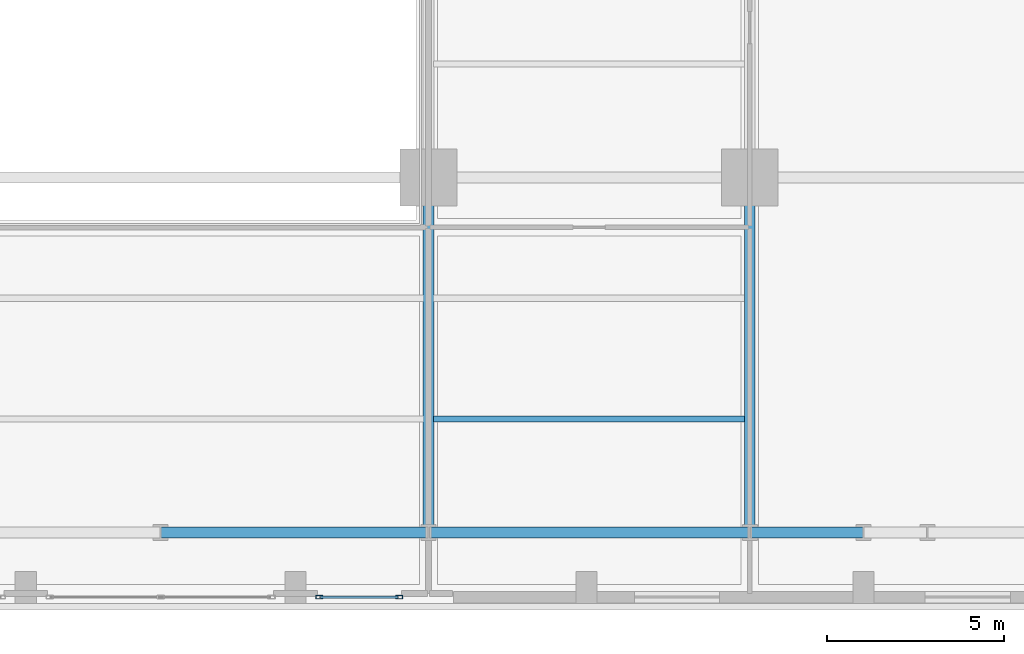
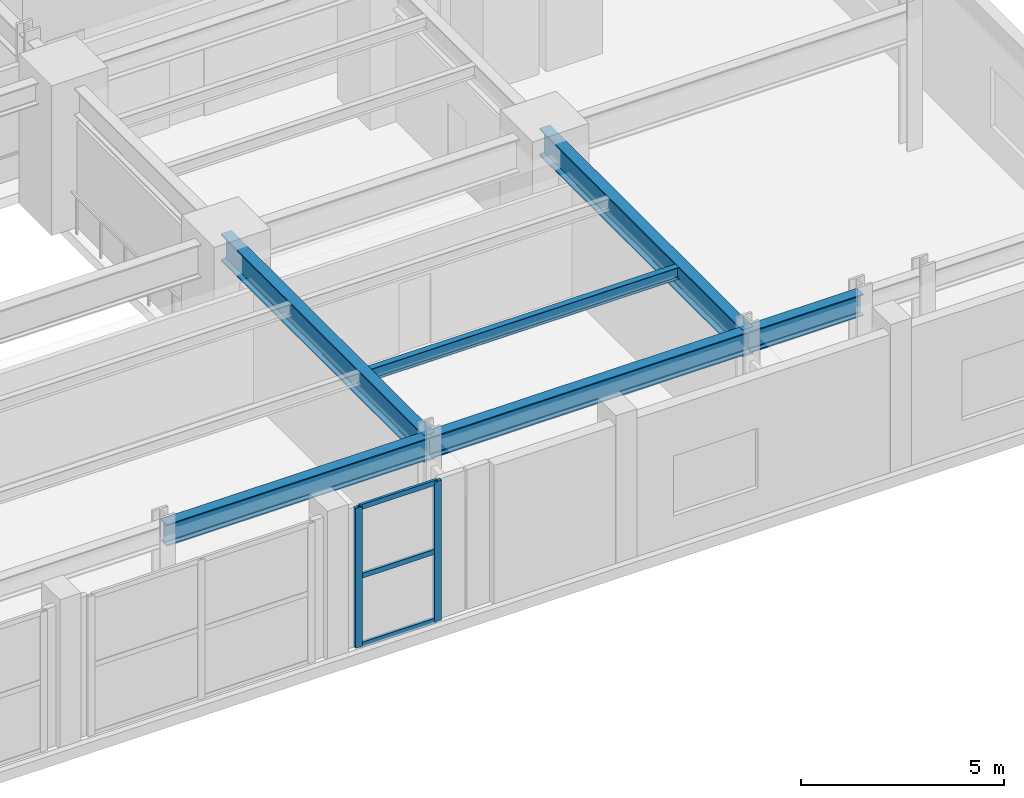
# One storey, part 4 of 14: 6 beams, 5 members, 1 element without a shape of its own.
"""IFC4 building model written with IfcOpenShell, lengths in metres."""

from ifc_helpers import new_model, si_unit, direction, frame, origin, origin_2d, place, context, subcontext, project, spatial, hollow_rectangle, i_section, extrude, material, layer, layer_set, material_profile, profile_set, type_object, element, aggregate, save


model = new_model("IFC4")

# Units and contexts
model_context = context("Model", 3, precision=1e-05, world=origin(), true_north=direction((0.0, 1.0)))
body_context = subcontext(model_context, "Body", "Model", "MODEL_VIEW")
ifc_project = project(units=[si_unit("LENGTHUNIT", "METRE"), si_unit("AREAUNIT", "SQUARE_METRE"), si_unit("VOLUMEUNIT", "CUBIC_METRE"), si_unit("PLANEANGLEUNIT", "RADIAN"), si_unit("MASSUNIT", "GRAM", prefix="KILO")], contexts=[model_context])

# Site, building, storey
site_placement = place(None, origin())
site = spatial("IfcSite", under=ifc_project, at=site_placement, CompositionType="ELEMENT")
building_placement = place(site_placement, origin())
building = spatial("IfcBuilding", under=site, at=building_placement, Name="Zarnavel Station Tower", CompositionType="ELEMENT")
storey_placement = place(building_placement, frame((0.0, 0.0, 14.89990234375)))
storey = spatial("IfcBuildingStorey", under=building, at=storey_placement, Name="L04", CompositionType="ELEMENT", Elevation=14.89990234375)

# Curtain wall, members
ifc_material_1 = material(Name="Aluminium Dark Anodised and Solar-Control Glass", Category="aluminium")
ifc_layer = layer(ifc_material_1, 0.179931640625)
ifc_layer_set = layer_set([ifc_layer], Name="CWS1")
curtain_wall_type = type_object("IfcCurtainWallType", Name="CWS1", PredefinedType="NOTDEFINED", material=ifc_layer_set)
curtain_wall_placement = place(storey_placement, origin())
curtain_wall = element("IfcCurtainWall", 1, at=curtain_wall_placement, inside=storey, type_object=curtain_wall_type, Name="L04 Curtain Wall CWS1-L04-S-S3", PredefinedType="NOTDEFINED")
ifc_material_2 = material(Name="Steel S355J2 (Black Fluoropolymer Coated)", Category="steel")
ifc_material_profile_1 = material_profile(ifc_material_2, hollow_rectangle(XDim=0.10009765625, YDim=0.199951171875, WallThickness=0.008056640625, at=origin_2d()), Name="RHS200x100x8")
ifc_profile_set_1 = profile_set([ifc_material_profile_1], Name="Steel S355J2 (Black Fluoropolymer Coated)")
member_type_1 = type_object("IfcMemberType", Name="CWS1_MUL", PredefinedType="MULLION", material=ifc_profile_set_1)
member_1_placement = place(storey_placement, frame((33.27392578125, 3.780029296875, 0.0), z_axis=(0.0, 0.0, 1.0), x_axis=(0.0, 1.0, 0.0)))
member_1 = element("IfcMember", 2, at=member_1_placement, type_object=member_type_1, Name="CW1 mullion 1", PredefinedType="MULLION", context=body_context, shape_type="SweptSolid", body=[
    extrude(hollow_rectangle(XDim=0.10009765625, YDim=0.199951171875, WallThickness=0.008056640625, at=origin_2d()), origin(), (0.0, 0.0, 1.0), 4.2001953125),
])
member_2_placement = place(storey_placement, frame((35.52001953125, 3.780029296875, 0.0), z_axis=(0.0, 0.0, 1.0), x_axis=(0.0, 1.0, 0.0)))
member_2 = element("IfcMember", 3, at=member_2_placement, type_object=member_type_1, Name="CW1 mullion 2", PredefinedType="MULLION", context=body_context, shape_type="SweptSolid", body=[
    extrude(hollow_rectangle(XDim=0.10009765625, YDim=0.199951171875, WallThickness=0.008056640625, at=origin_2d()), origin(), (0.0, 0.0, 1.0), 4.2001953125),
])
ifc_material_3 = material(Name="Steel S355J2 (Black Fluoropolymer Coated)", Category="steel")
ifc_material_profile_2 = material_profile(ifc_material_3, hollow_rectangle(XDim=0.074951171875, YDim=0.14990234375, WallThickness=0.00634765625, at=origin_2d()), Name="RHS150x75x6.3")
ifc_profile_set_2 = profile_set([ifc_material_profile_2], Name="Steel S355J2 (Black Fluoropolymer Coated)")
member_type_2 = type_object("IfcMemberType", Name="CWS1_TRN", PredefinedType="USERDEFINED", material=ifc_profile_set_2)
member_3_placement = place(storey_placement, frame((33.303955078125, 3.780029296875, 0.030029296875), z_axis=(1.0, 0.0, 0.0), x_axis=(0.0, 1.0, 0.0)))
member_3 = element("IfcMember", 4, at=member_3_placement, type_object=member_type_2, Name="CW1 transom 1.1", ObjectType="TRANSOM", PredefinedType="USERDEFINED", context=body_context, shape_type="SweptSolid", body=[
    extrude(hollow_rectangle(XDim=0.074951171875, YDim=0.14990234375, WallThickness=0.00634765625, at=origin_2d()), origin(), (0.0, 0.0, 1.0), 2.18603515625),
])
member_4_placement = place(storey_placement, frame((33.303955078125, 3.780029296875, 2.10009765625), z_axis=(1.0, 0.0, 0.0), x_axis=(0.0, 1.0, 0.0)))
member_4 = element("IfcMember", 5, at=member_4_placement, type_object=member_type_2, Name="CW1 transom 1.2", ObjectType="TRANSOM", PredefinedType="USERDEFINED", context=body_context, shape_type="SweptSolid", body=[
    extrude(hollow_rectangle(XDim=0.074951171875, YDim=0.14990234375, WallThickness=0.00634765625, at=origin_2d()), origin(), (0.0, 0.0, 1.0), 2.18603515625),
])
member_5_placement = place(storey_placement, frame((33.303955078125, 3.780029296875, 4.170166015625), z_axis=(1.0, 0.0, 0.0), x_axis=(0.0, 1.0, 0.0)))
member_5 = element("IfcMember", 6, at=member_5_placement, type_object=member_type_2, Name="CW1 transom 1.3", ObjectType="TRANSOM", PredefinedType="USERDEFINED", context=body_context, shape_type="SweptSolid", body=[
    extrude(hollow_rectangle(XDim=0.074951171875, YDim=0.14990234375, WallThickness=0.00634765625, at=origin_2d()), origin(), (0.0, 0.0, 1.0), 2.18603515625),
])
aggregate(curtain_wall, [member_1, member_2, member_3, member_4, member_5])

# Beams
ifc_material_4 = material(Name="Steel S355J2", Category="steel")
ifc_material_profile_3 = material_profile(ifc_material_4, i_section(OverallWidth=0.300048828125, OverallDepth=0.64990234375, WebThickness=0.01611328125, FlangeThickness=0.031005859375, FilletRadius=0.027099609375, at=origin_2d()), Name="HEB650")
ifc_profile_set_3 = profile_set([ifc_material_profile_3], Name="Steel S355J2")
beam_type_1 = type_object("IfcBeamType", Name="FG_HEB650", PredefinedType="USERDEFINED", material=ifc_profile_set_3)
beam_1_placement = place(storey_placement, frame((28.800048828125, 5.60009765625, 3.875), z_axis=(1.0, 0.0, 0.0), x_axis=(0.0, 1.0, 0.0)))
element("IfcBeam", 7, at=beam_1_placement, inside=storey, type_object=beam_type_1, Name="L04 EW Frame Girder 1-6", ObjectType="GIRDER", PredefinedType="USERDEFINED", context=body_context, shape_type="SweptSolid", body=[
    extrude(i_section(OverallWidth=0.300048828125, OverallDepth=0.64990234375, WebThickness=0.01611328125, FlangeThickness=0.031005859375, FilletRadius=0.027099609375, at=origin_2d()), origin(), (0.0, 0.0, 1.0), 7.550048828125),
])
beam_2_placement = place(storey_placement, frame((36.35009765625, 5.60009765625, 3.875), z_axis=(1.0, 0.0, 0.0), x_axis=(0.0, 1.0, 0.0)))
element("IfcBeam", 8, at=beam_2_placement, inside=storey, type_object=beam_type_1, Name="L04 EW Frame Girder 1-7", ObjectType="GIRDER", PredefinedType="USERDEFINED", context=body_context, shape_type="SweptSolid", body=[
    extrude(i_section(OverallWidth=0.300048828125, OverallDepth=0.64990234375, WebThickness=0.01611328125, FlangeThickness=0.031005859375, FilletRadius=0.027099609375, at=origin_2d()), origin(), (0.0, 0.0, 1.0), 9.0498046875),
])
beam_3_placement = place(storey_placement, frame((45.39990234375, 5.60009765625, 3.875), z_axis=(1.0, 0.0, 0.0), x_axis=(0.0, 1.0, 0.0)))
element("IfcBeam", 9, at=beam_3_placement, inside=storey, type_object=beam_type_1, Name="L04 EW Frame Girder 1-8", ObjectType="GIRDER", PredefinedType="USERDEFINED", context=body_context, shape_type="SweptSolid", body=[
    extrude(i_section(OverallWidth=0.300048828125, OverallDepth=0.64990234375, WebThickness=0.01611328125, FlangeThickness=0.031005859375, FilletRadius=0.027099609375, at=origin_2d()), origin(), (0.0, 0.0, 1.0), 3.2001953125),
])
ifc_material_5 = material(Name="Steel S460M", Category="steel")
ifc_material_profile_4 = material_profile(ifc_material_5, i_section(OverallWidth=0.302978515625, OverallDepth=0.81396484375, WebThickness=0.02099609375, FlangeThickness=0.0400390625, FilletRadius=0.030029296875, at=origin_2d()), Name="HEM800")
ifc_profile_set_4 = profile_set([ifc_material_profile_4], Name="Steel S460M")
beam_type_2 = type_object("IfcBeamType", Name="FG_HEM800", PredefinedType="USERDEFINED", material=ifc_profile_set_4)
for number, where, z_axis, x_axis, name in (
    (10, (36.35009765625, 5.60009765625, 3.793212890625), (0.0, 1.0, 0.0), (-1.0, 0.0, 0.0), "L04 NS Girder South 3"),
    (11, (45.39990234375, 5.60009765625, 3.793212890625), (0.0, 1.0, 0.0), (-1.0, 0.0, 0.0), "L04 NS Girder South 4"),
):
    element("IfcBeam", number, at=place(storey_placement, frame(where, z_axis=z_axis, x_axis=x_axis)), inside=storey, type_object=beam_type_2, Name=name, ObjectType="GIRDER", PredefinedType="USERDEFINED", context=body_context, shape_type="SweptSolid", body=[
        extrude(i_section(OverallWidth=0.302978515625, OverallDepth=0.81396484375, WebThickness=0.02099609375, FlangeThickness=0.0400390625, FilletRadius=0.030029296875, at=origin_2d()), origin(), (0.0, 0.0, 1.0), 10.0),
    ])
ifc_material_6 = material(Name="Steel S355J2", Category="steel")
ifc_material_profile_5 = material_profile(ifc_material_6, i_section(OverallWidth=0.169921875, OverallDepth=0.360107421875, WebThickness=0.008056640625, FlangeThickness=0.0126953125, FilletRadius=0.01806640625, at=origin_2d()), Name="IPE360")
ifc_profile_set_5 = profile_set([ifc_material_profile_5], Name="Steel S355J2")
beam_type_3 = type_object("IfcBeamType", Name="FJ_IPE360", PredefinedType="JOIST", material=ifc_profile_set_5)
beam_4_placement = place(storey_placement, frame((36.4951171875, 8.800048828125, 4.02001953125), z_axis=(1.0, 0.0, 0.0), x_axis=(0.0, 1.0, 0.0)))
element("IfcBeam", 12, at=beam_4_placement, inside=storey, type_object=beam_type_3, Name="L04 Floor Joist E1", PredefinedType="JOIST", context=body_context, shape_type="SweptSolid", body=[
    extrude(i_section(OverallWidth=0.169921875, OverallDepth=0.360107421875, WebThickness=0.008056640625, FlangeThickness=0.0126953125, FilletRadius=0.01806640625, at=origin_2d()), origin(), (0.0, 0.0, 1.0), 8.759765625),
])

save(model, "model.ifc")
